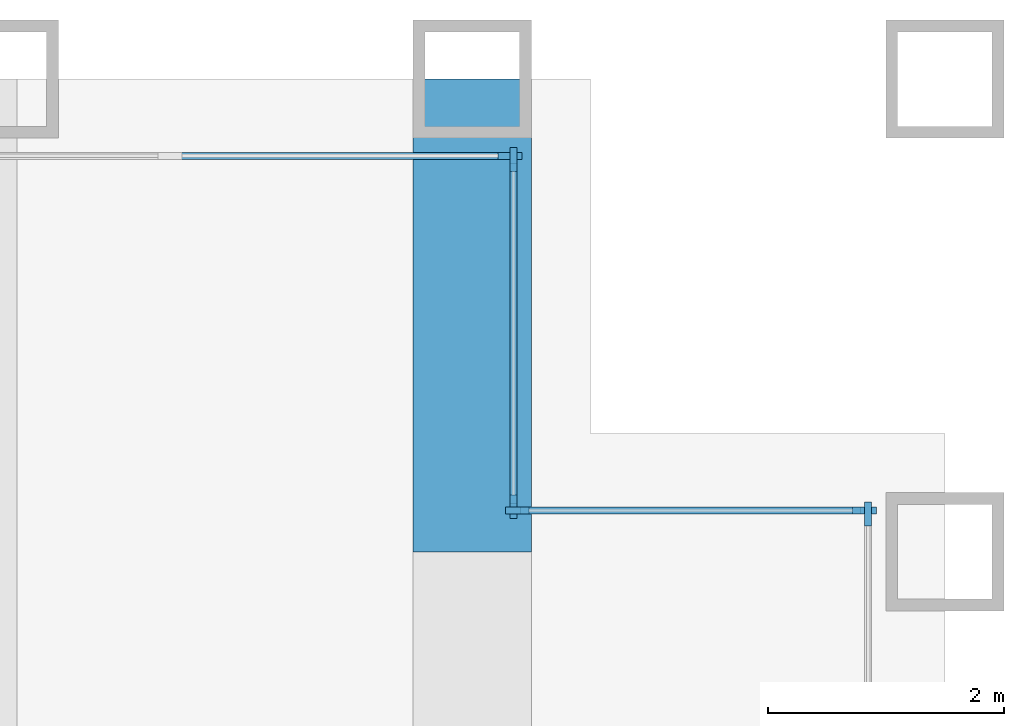
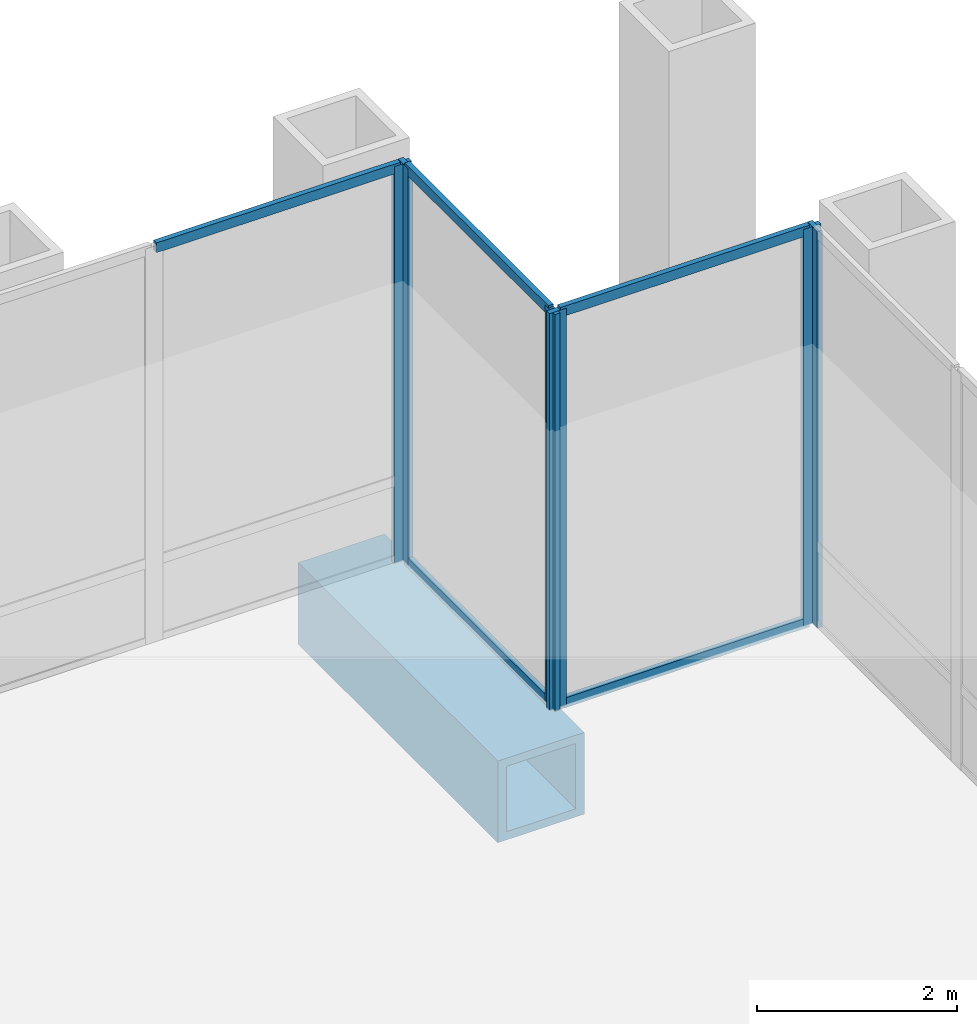
# One storey, part 9 of 16: 11 members, 1 beam, 4 elements without a shape of their own.
"""IFC4 building model written with IfcOpenShell, lengths in metres."""

import ifcopenshell
import ifcopenshell.guid

model = None  # the IFC model being written
_history = None  # IfcOwnerHistory: only IFC2X3 demands one
_inside = {}  # id of a spatial element -> (the spatial element, [elements in it])
_under = {}  # id of a project, library or spatial element -> (it, [spatial elements below it])
_declared = {}  # id of a project -> (the project, [libraries it declares])
_typed = {}  # id of a type object -> (the type object, [elements of that type])
_made_of = {}  # id of a material, layer set ... -> (it, [elements and type objects made of it])


def new_model(schema):
    """Start an empty IFC model of exactly this schema.

    Asked for "IFC4X3", IfcOpenShell would pick the latest addendum, in which some entities
    have other attributes; the version numbers below select the first issue.
    IFC2X3 requires an IfcOwnerHistory on every rooted entity: one is made here for all.
    """
    global model, _history
    if schema == "IFC4X3":
        model = ifcopenshell.file(schema_version=(4, 3, 0, 0))
    else:
        model = ifcopenshell.file(schema=schema)
    _inside.clear()
    _under.clear()
    _declared.clear()
    _typed.clear()
    _made_of.clear()
    _history = None
    if model.schema == "IFC2X3":
        org = make("IfcOrganization", Name="unknown")
        user = make(
            "IfcPersonAndOrganization",
            ThePerson=make("IfcPerson", FamilyName="unknown"),
            TheOrganization=org,
        )
        app = make(
            "IfcApplication",
            ApplicationDeveloper=org,
            Version="unknown",
            ApplicationFullName="unknown",
            ApplicationIdentifier="unknown",
        )
        _history = make(
            "IfcOwnerHistory",
            OwningUser=user,
            OwningApplication=app,
            ChangeAction="ADDED",
            CreationDate=0,
        )
    return model


def make(cls, **values):
    """One entity of the class cls with the attributes given. An attribute that is None is left unset."""
    return model.create_entity(
        cls, **{name: value for name, value in values.items() if value is not None}
    )


def rooted(cls, **values):
    """An entity with a GlobalId (a new one), such as an element, a storey or a relation."""
    return make(cls, GlobalId=ifcopenshell.guid.new(), OwnerHistory=_history, **values)


def si_unit(unit_type, name, prefix=None):
    """IfcSIUnit, for example si_unit("LENGTHUNIT", "METRE", prefix="MILLI")."""
    return make("IfcSIUnit", UnitType=unit_type, Prefix=prefix, Name=name)


def assignment(units):
    """IfcUnitAssignment: the units of a project."""
    return None if units is None else make("IfcUnitAssignment", Units=units)


def point(xyz):
    """IfcCartesianPoint."""
    return None if xyz is None else make("IfcCartesianPoint", Coordinates=xyz)


def direction(xyz):
    """IfcDirection."""
    return None if xyz is None else make("IfcDirection", DirectionRatios=xyz)


def frame(location, z_axis=None, x_axis=None):
    """IfcAxis2Placement3D, a coordinate frame: its origin and axes. An axis left out is left unset."""
    return make(
        "IfcAxis2Placement3D",
        Location=point(location),
        Axis=direction(z_axis),
        RefDirection=direction(x_axis),
    )


def frame_2d(location, x_axis=None):
    """IfcAxis2Placement2D, a coordinate frame in the plane: its origin and x axis."""
    return make(
        "IfcAxis2Placement2D", Location=point(location), RefDirection=direction(x_axis)
    )


def origin():
    """The frame at (0, 0, 0) with its axes left unset."""
    return frame((0.0, 0.0, 0.0))


def origin_2d():
    """The frame at (0, 0) in the plane with its x axis left unset."""
    return frame_2d((0.0, 0.0))


def place(relative_to, where):
    """IfcLocalPlacement: puts the frame where relative to a parent placement (None: the world)."""
    return make(
        "IfcLocalPlacement", PlacementRelTo=relative_to, RelativePlacement=where
    )


def context(
    kind, dimensions, precision=None, world=None, true_north=None, identifier=None
):
    """IfcGeometricRepresentationContext, for example the 3D "Model" context."""
    return make(
        "IfcGeometricRepresentationContext",
        ContextIdentifier=identifier,
        ContextType=kind,
        CoordinateSpaceDimension=dimensions,
        Precision=precision,
        WorldCoordinateSystem=world,
        TrueNorth=true_north,
    )


def subcontext(parent, identifier, kind, view, scale=None):
    """IfcGeometricRepresentationSubContext, for example "Body" below "Model"."""
    return make(
        "IfcGeometricRepresentationSubContext",
        ContextIdentifier=identifier,
        ContextType=kind,
        ParentContext=parent,
        TargetScale=scale,
        TargetView=view,
    )


def project(units=None, contexts=None):
    """IfcProject with its units and contexts."""
    return rooted(
        "IfcProject",
        Name="project",
        RepresentationContexts=contexts,
        UnitsInContext=assignment(units),
    )


def spatial(cls, under=None, at=None, **own):
    """A site, building, storey or space (cls), placed at a placement, below another one or the project."""
    s = rooted(cls, ObjectPlacement=at, **own)
    if under is not None:
        _under.setdefault(under.id(), (under, []))[1].append(s)
    return s


def profile(cls, at=None, kind="AREA", **sizes):
    """A parametric profile (cls). Its sizes go by their IFC names, for example OverallWidth=200.0."""
    return make(cls, ProfileType=kind, Position=at, **sizes)


def rectangle(**sizes):
    """IfcRectangleProfileDef."""
    return profile("IfcRectangleProfileDef", **sizes)


def hollow_rectangle(**sizes):
    """IfcRectangleHollowProfileDef."""
    return profile("IfcRectangleHollowProfileDef", **sizes)


def extrude(swept, where, along, depth):
    """IfcExtrudedAreaSolid: the profile swept, set in the frame where, extruded along a direction by depth."""
    return make(
        "IfcExtrudedAreaSolid",
        SweptArea=swept,
        Position=where,
        ExtrudedDirection=direction(along),
        Depth=depth,
    )


def shape(context_of_items, identifier, shape_type, items):
    """IfcShapeRepresentation: the items that make up one representation, for example the "Body"."""
    return make(
        "IfcShapeRepresentation",
        ContextOfItems=context_of_items,
        RepresentationIdentifier=identifier,
        RepresentationType=shape_type,
        Items=items,
    )


def material(Name=None, Category=None):
    """IfcMaterial."""
    return make("IfcMaterial", Name=Name, Category=Category)


def material_profile(
    of_material, cross_section, Name=None, Category=None, Priority=None
):
    """IfcMaterialProfile: a cross section and its material."""
    return make(
        "IfcMaterialProfile",
        Name=Name,
        Material=of_material,
        Profile=cross_section,
        Priority=Priority,
        Category=Category,
    )


def profile_set(profiles, Name=None, composite=None):
    """IfcMaterialProfileSet."""
    return make(
        "IfcMaterialProfileSet",
        Name=Name,
        MaterialProfiles=profiles,
        CompositeProfile=composite,
    )


def made_of(thing, what):
    """Note that an element or type object is made of a material, layer set ...; save() writes the relation."""
    if what is not None:
        _made_of.setdefault(what.id(), (what, []))[1].append(thing)
    return thing


def type_object(cls, material=None, **own):
    """A type object (cls), such as IfcWallType, which elements share."""
    return made_of(rooted(cls, **own), material)


def element(
    cls,
    number,
    at=None,
    inside=None,
    cuts=None,
    type_object=None,
    material=None,
    context=None,
    identifier="Body",
    shape_type=None,
    held_by="IfcProductDefinitionShape",
    body=None,
    shapes=None,
    **own,
):
    """One element of the class cls, such as IfcWall. Its Tag is "e" and its number.

    at: its placement. inside: the storey or other place that contains it. cuts: it is an
    opening in that element (IfcRelVoidsElement). A single representation is given by context,
    identifier, shape_type and body (its items); several are given by shapes. held_by: the class
    of the entity that holds the representations. save() writes the other relations.
    """
    e = rooted(cls, Tag="e%d" % number, ObjectPlacement=at, **own)
    if body is not None:
        shapes = [shape(context, identifier, shape_type, body)]
    if shapes is not None:
        e.Representation = make(held_by, Representations=shapes)
    if inside is not None:
        _inside.setdefault(inside.id(), (inside, []))[1].append(e)
    if cuts is not None:
        rooted(
            "IfcRelVoidsElement", RelatingBuildingElement=cuts, RelatedOpeningElement=e
        )
    if type_object is not None:
        _typed.setdefault(type_object.id(), (type_object, []))[1].append(e)
    return made_of(e, material)


def aggregate(whole, parts):
    """IfcRelAggregates: a whole, such as a stair, and the parts it consists of."""
    return rooted("IfcRelAggregates", RelatingObject=whole, RelatedObjects=parts)


def save(model, path):
    """Write the relations noted so far, then the file.

    IfcRelAggregates (storeys below a building ...), IfcRelContainedInSpatialStructure (elements
    in a storey), IfcRelDefinesByType, IfcRelAssociatesMaterial and IfcRelDeclares: one each for
    every whole, place, type object, material and project.
    """
    for whole, parts in _under.values():
        aggregate(whole, parts)
    for where, things in _inside.values():
        rooted(
            "IfcRelContainedInSpatialStructure",
            RelatedElements=things,
            RelatingStructure=where,
        )
    for kind, things in _typed.values():
        rooted("IfcRelDefinesByType", RelatedObjects=things, RelatingType=kind)
    for what, things in _made_of.values():
        rooted("IfcRelAssociatesMaterial", RelatedObjects=things, RelatingMaterial=what)
    for by, libraries in _declared.values():
        rooted("IfcRelDeclares", RelatingContext=by, RelatedDefinitions=libraries)
    model.write(path)


model = new_model("IFC4")

# Units and contexts
model_context = context("Model", 3, precision=1e-05, world=origin(), true_north=direction((0.0, 1.0)))
body_context = subcontext(model_context, "Body", "Model", "MODEL_VIEW")
ifc_project = project(units=[si_unit("LENGTHUNIT", "METRE"), si_unit("AREAUNIT", "SQUARE_METRE"), si_unit("VOLUMEUNIT", "CUBIC_METRE"), si_unit("PLANEANGLEUNIT", "RADIAN"), si_unit("MASSUNIT", "GRAM", prefix="KILO")], contexts=[model_context])

# Site, building, storey
site_placement = place(None, origin())
site = spatial("IfcSite", under=ifc_project, at=site_placement, CompositionType="ELEMENT")
building_placement = place(site_placement, origin())
building = spatial("IfcBuilding", under=site, at=building_placement, Name="Rimbunsela Tower", CompositionType="ELEMENT")
storey_placement = place(building_placement, frame((0.0, 0.0, 76.39990234375)))
storey = spatial("IfcBuildingStorey", under=building, at=storey_placement, Name="L18", CompositionType="ELEMENT", Elevation=76.39990234375)

# Beam
ifc_material_1 = material(Name="Steel BJ 55 (fy 410 MPa)", Category="steel")
ifc_material_profile_1 = material_profile(ifc_material_1, hollow_rectangle(XDim=1.0, YDim=1.0, WallThickness=0.10009765625, at=origin_2d()), Name="BOX 1000x1000x100")
ifc_profile_set_1 = profile_set([ifc_material_profile_1], Name="Steel BJ 55 (fy 410 MPa)")
beam_type = type_object("IfcBeamType", Name="Beam BOX 1000x1000x100", PredefinedType="BEAM", material=ifc_profile_set_1)
beam_placement = place(storey_placement, frame((54.0, 44.0, -0.64990234375), z_axis=(0.0, 1.0, 0.0), x_axis=(-1.0, 0.0, 0.0)))
element("IfcBeam", 1, at=beam_placement, inside=storey, type_object=beam_type, Name="Beam B3 L18", PredefinedType="BEAM", context=body_context, shape_type="SweptSolid", body=[
    extrude(hollow_rectangle(XDim=1.0, YDim=1.0, WallThickness=0.10009765625, at=origin_2d()), origin(), (0.0, 0.0, 1.0), 4.0),
])

# Curtain wall, member
ifc_material_2 = material(Name="Aluminium curtain wall", Category="aluminium")
curtain_wall_type_1 = type_object("IfcCurtainWallType", Name="Sky lobby glazing", PredefinedType="USERDEFINED", material=ifc_material_2)
curtain_wall_1_placement = place(storey_placement, origin())
curtain_wall_1 = element("IfcCurtainWall", 2, at=curtain_wall_1_placement, inside=storey, type_object=curtain_wall_type_1, Name="Sky lobby glazing L18", ObjectType="SKY LOBBY GLAZING", PredefinedType="USERDEFINED")
ifc_material_3 = material(Name="Aluminium mullion", Category="aluminium")
ifc_material_profile_2 = material_profile(ifc_material_3, rectangle(XDim=0.06005859375, YDim=0.199951171875, at=origin_2d()), Name="Mullion 60x200")
ifc_profile_set_2 = profile_set([ifc_material_profile_2], Name="Aluminium mullion")
member_type_1 = type_object("IfcMemberType", Name="Curtain wall mullion 60x200", PredefinedType="MULLION", material=ifc_profile_set_2)
member_1_placement = place(storey_placement, frame((57.35009765625, 44.320068359375, 0.0), z_axis=(0.0, 0.0, 1.0), x_axis=(-1.0, 0.0, 0.0)))
member_1 = element("IfcMember", 3, at=member_1_placement, type_object=member_type_1, Name="CW4 mullion 15", PredefinedType="MULLION", context=body_context, shape_type="SweptSolid", body=[
    extrude(rectangle(XDim=0.06005859375, YDim=0.199951171875, at=origin_2d()), origin(), (0.0, 0.0, 1.0), 4.85009765625),
])
aggregate(curtain_wall_1, [member_1])

# Curtain wall, members
ifc_material_4 = material(Name="Aluminium curtain wall", Category="aluminium")
curtain_wall_type_2 = type_object("IfcCurtainWallType", Name="Corner glazing", PredefinedType="USERDEFINED", material=ifc_material_4)
curtain_wall_2_placement = place(storey_placement, origin())
curtain_wall_2 = element("IfcCurtainWall", 4, at=curtain_wall_2_placement, inside=storey, type_object=curtain_wall_type_2, Name="Corner glazing L18", ObjectType="CORNER GLAZING", PredefinedType="USERDEFINED")
member_2_placement = place(storey_placement, frame((57.320068359375, 44.35009765625, 0.0), z_axis=(0.0, 0.0, 1.0), x_axis=(0.0, -1.0, 0.0)))
member_2 = element("IfcMember", 5, at=member_2_placement, type_object=member_type_1, Name="CW5 mullion 1", PredefinedType="MULLION", context=body_context, shape_type="SweptSolid", body=[
    extrude(rectangle(XDim=0.06005859375, YDim=0.199951171875, at=origin_2d()), origin(), (0.0, 0.0, 1.0), 4.85009765625),
])
member_3_placement = place(storey_placement, frame((54.3798828125, 44.35009765625, 0.0), z_axis=(0.0, 0.0, 1.0), x_axis=(0.0, -1.0, 0.0)))
member_3 = element("IfcMember", 6, at=member_3_placement, type_object=member_type_1, Name="CW5 mullion 2", PredefinedType="MULLION", context=body_context, shape_type="SweptSolid", body=[
    extrude(rectangle(XDim=0.06005859375, YDim=0.199951171875, at=origin_2d()), origin(), (0.0, 0.0, 1.0), 4.85009765625),
])

curtain_wall_3_placement = place(storey_placement, origin())
curtain_wall_3 = element("IfcCurtainWall", 7, at=curtain_wall_3_placement, inside=storey, type_object=curtain_wall_type_2, Name="Corner glazing L18", ObjectType="CORNER GLAZING", PredefinedType="USERDEFINED")
member_4_placement = place(storey_placement, frame((54.35009765625, 44.3798828125, 0.0), z_axis=(0.0, 0.0, 1.0), x_axis=(-1.0, 0.0, 0.0)))
member_4 = element("IfcMember", 8, at=member_4_placement, type_object=member_type_1, Name="CW5 mullion 1", PredefinedType="MULLION", context=body_context, shape_type="SweptSolid", body=[
    extrude(rectangle(XDim=0.06005859375, YDim=0.199951171875, at=origin_2d()), origin(), (0.0, 0.0, 1.0), 4.85009765625),
])
member_5_placement = place(storey_placement, frame((54.35009765625, 47.320068359375, 0.0), z_axis=(0.0, 0.0, 1.0), x_axis=(-1.0, 0.0, 0.0)))
member_5 = element("IfcMember", 9, at=member_5_placement, type_object=member_type_1, Name="CW5 mullion 2", PredefinedType="MULLION", context=body_context, shape_type="SweptSolid", body=[
    extrude(rectangle(XDim=0.06005859375, YDim=0.199951171875, at=origin_2d()), origin(), (0.0, 0.0, 1.0), 4.85009765625),
])

# Curtain wall, member
curtain_wall_4_placement = place(storey_placement, origin())
curtain_wall_4 = element("IfcCurtainWall", 10, at=curtain_wall_4_placement, inside=storey, type_object=curtain_wall_type_1, Name="Sky lobby glazing L18", ObjectType="SKY LOBBY GLAZING", PredefinedType="USERDEFINED")
member_6_placement = place(storey_placement, frame((54.320068359375, 47.35009765625, 0.0), z_axis=(0.0, 0.0, 1.0), x_axis=(0.0, -1.0, 0.0)))
member_6 = element("IfcMember", 11, at=member_6_placement, type_object=member_type_1, Name="CW4 mullion 1", PredefinedType="MULLION", context=body_context, shape_type="SweptSolid", body=[
    extrude(rectangle(XDim=0.06005859375, YDim=0.199951171875, at=origin_2d()), origin(), (0.0, 0.0, 1.0), 4.85009765625),
])

# Member
ifc_material_5 = material(Name="Aluminium transom", Category="aluminium")
ifc_material_profile_3 = material_profile(ifc_material_5, rectangle(XDim=0.06005859375, YDim=0.1201171875, at=origin_2d()), Name="Transom 60x120")
ifc_profile_set_3 = profile_set([ifc_material_profile_3], Name="Aluminium transom")
member_type_2 = type_object("IfcMemberType", Name="Curtain wall transom 60x120", PredefinedType="USERDEFINED", material=ifc_profile_set_3)
member_7_placement = place(storey_placement, frame((57.2900390625, 44.35009765625, 0.030029296875), z_axis=(-1.0, 0.0, 0.0), x_axis=(0.0, -1.0, 0.0)))
member_7 = element("IfcMember", 12, at=member_7_placement, type_object=member_type_2, Name="CW5 transom 1.1", ObjectType="TRANSOM", PredefinedType="USERDEFINED", context=body_context, shape_type="SweptSolid", body=[
    extrude(rectangle(XDim=0.06005859375, YDim=0.1201171875, at=origin_2d()), origin(), (0.0, 0.0, 1.0), 2.880126953125),
])

member_8_placement = place(storey_placement, frame((57.2900390625, 44.35009765625, 4.820068359375), z_axis=(-1.0, 0.0, 0.0), x_axis=(0.0, -1.0, 0.0)))
member_8 = element("IfcMember", 13, at=member_8_placement, type_object=member_type_2, Name="CW5 transom 1.2", ObjectType="TRANSOM", PredefinedType="USERDEFINED", context=body_context, shape_type="SweptSolid", body=[
    extrude(rectangle(XDim=0.06005859375, YDim=0.1201171875, at=origin_2d()), origin(), (0.0, 0.0, 1.0), 2.880126953125),
])

aggregate(curtain_wall_2, [member_2, member_3, member_7, member_8])

member_9_placement = place(storey_placement, frame((54.35009765625, 44.409912109375, 0.030029296875), z_axis=(0.0, 1.0, 0.0), x_axis=(-1.0, 0.0, 0.0)))
member_9 = element("IfcMember", 14, at=member_9_placement, type_object=member_type_2, Name="CW5 transom 1.1", ObjectType="TRANSOM", PredefinedType="USERDEFINED", context=body_context, shape_type="SweptSolid", body=[
    extrude(rectangle(XDim=0.06005859375, YDim=0.1201171875, at=origin_2d()), origin(), (0.0, 0.0, 1.0), 2.880126953125),
])

member_10_placement = place(storey_placement, frame((54.35009765625, 44.409912109375, 4.820068359375), z_axis=(0.0, 1.0, 0.0), x_axis=(-1.0, 0.0, 0.0)))
member_10 = element("IfcMember", 15, at=member_10_placement, type_object=member_type_2, Name="CW5 transom 1.2", ObjectType="TRANSOM", PredefinedType="USERDEFINED", context=body_context, shape_type="SweptSolid", body=[
    extrude(rectangle(XDim=0.06005859375, YDim=0.1201171875, at=origin_2d()), origin(), (0.0, 0.0, 1.0), 2.880126953125),
])

aggregate(curtain_wall_3, [member_4, member_5, member_9, member_10])

member_11_placement = place(storey_placement, frame((54.2900390625, 47.35009765625, 4.820068359375), z_axis=(-1.0, 0.0, 0.0), x_axis=(0.0, -1.0, 0.0)))
member_11 = element("IfcMember", 16, at=member_11_placement, type_object=member_type_2, Name="CW4 transom 1.3", ObjectType="TRANSOM", PredefinedType="USERDEFINED", context=body_context, shape_type="SweptSolid", body=[
    extrude(rectangle(XDim=0.06005859375, YDim=0.1201171875, at=origin_2d()), origin(), (0.0, 0.0, 1.0), 2.817138671875),
])

aggregate(curtain_wall_4, [member_6, member_11])

save(model, "model.ifc")
